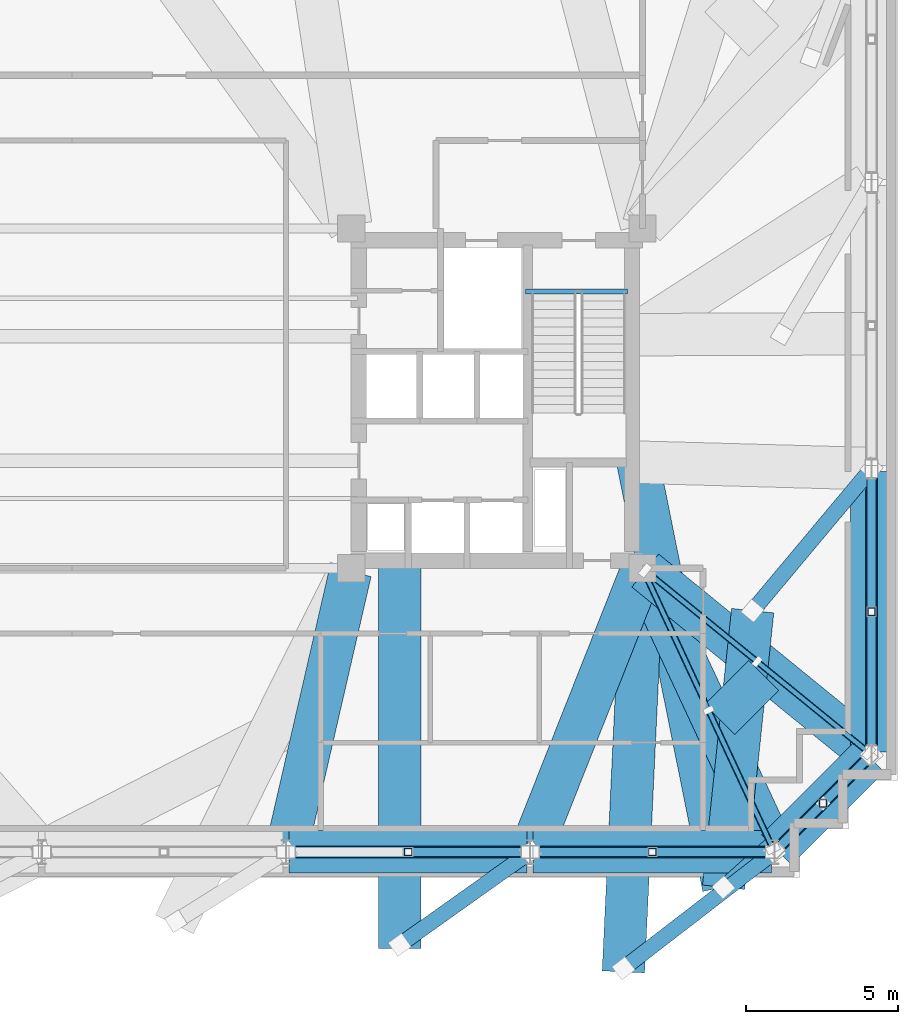
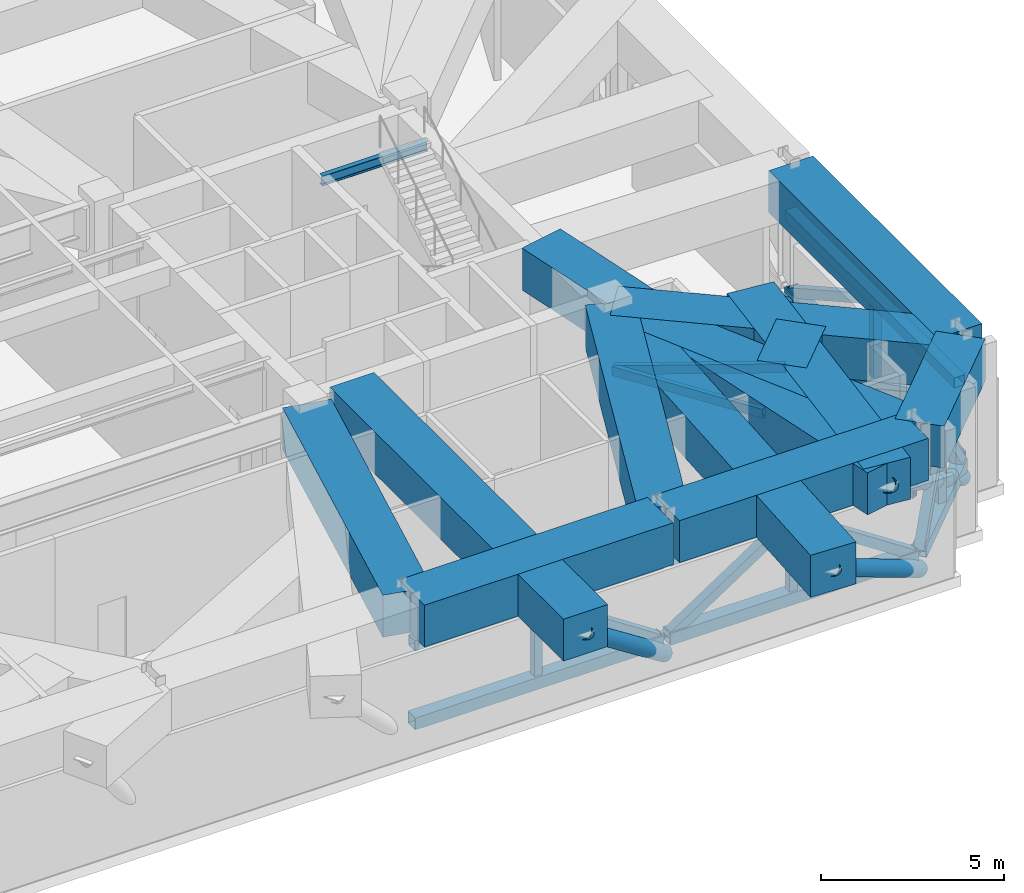
# One storey, part 7 of 18: 29 members, 14 beams.
"""IFC4 building model written with IfcOpenShell, lengths in metres."""

from ifc_helpers import new_model, si_unit, direction, frame, origin, origin_2d, place, context, subcontext, project, spatial, rectangle, hollow_rectangle, hollow_circle, i_section, extrude, material, material_profile, profile_set, type_object, element, save


model = new_model("IFC4")

# Units and contexts
model_context = context("Model", 3, precision=1e-05, world=origin(), true_north=direction((0.0, 1.0)))
body_context = subcontext(model_context, "Body", "Model", "MODEL_VIEW")
ifc_project = project(units=[si_unit("LENGTHUNIT", "METRE"), si_unit("AREAUNIT", "SQUARE_METRE"), si_unit("VOLUMEUNIT", "CUBIC_METRE"), si_unit("PLANEANGLEUNIT", "RADIAN"), si_unit("MASSUNIT", "GRAM", prefix="KILO")], contexts=[model_context])

# Site, building, storey
site_placement = place(None, origin())
site = spatial("IfcSite", under=ifc_project, at=site_placement, CompositionType="ELEMENT")
building_placement = place(site_placement, origin())
building = spatial("IfcBuilding", under=site, at=building_placement, Name="Qobustan Lattice House", CompositionType="ELEMENT")
storey_placement = place(building_placement, frame((0.0, 0.0, 174.550048828125)))
storey = spatial("IfcBuildingStorey", under=building, at=storey_placement, Name="L49", CompositionType="ELEMENT", Elevation=174.550048828125)

# Beams
ifc_material_1 = material(Name="Steel S355", Category="steel")
ifc_material_profile_1 = material_profile(ifc_material_1, i_section(OverallWidth=0.159912109375, OverallDepth=0.330078125, WebThickness=0.007568359375, FlangeThickness=0.011474609375, FilletRadius=0.01806640625, at=origin_2d()), Name="IPE330")
ifc_profile_set_1 = profile_set([ifc_material_profile_1], Name="Steel S355")
beam_type_1 = type_object("IfcBeamType", Name="BM-SPD-IPE330", PredefinedType="SPANDREL", material=ifc_profile_set_1)
beam_1_placement = place(storey_placement, frame((14.949951171875, 3.52001953125, 4.655029296875), z_axis=(1.0, 0.0, 0.0), x_axis=(0.0, 1.0, 0.0)))
element("IfcBeam", 1, at=beam_1_placement, inside=storey, type_object=beam_type_1, Name="L49 east stair landing trimmer beam", PredefinedType="SPANDREL", context=body_context, shape_type="SweptSolid", body=[
    extrude(i_section(OverallWidth=0.159912109375, OverallDepth=0.330078125, WebThickness=0.007568359375, FlangeThickness=0.011474609375, FilletRadius=0.01806640625, at=origin_2d()), origin(), (0.0, 0.0, 1.0), 3.35009765625),
])
ifc_material_2 = material(Name="Concrete C60/75", Category="concrete")
ifc_material_profile_2 = material_profile(ifc_material_2, rectangle(XDim=1.39990234375, YDim=1.39990234375, at=origin_2d()), Name="RC1400x1400")
ifc_profile_set_2 = profile_set([ifc_material_profile_2], Name="Concrete C60/75")
beam_type_2 = type_object("IfcBeamType", Name="BM-TRG-RC1400", PredefinedType="USERDEFINED", material=ifc_profile_set_2)
for number, where, z_axis, x_axis, name in (
    (2, (7.14990234375, -14.949951171875, 4.119873046875), (1.0, 0.0, 0.0), (0.0, 1.0, 0.0), "L49 TT3 lower perimeter transfer girder S5-S6"),
    (3, (15.199951171875, -14.949951171875, 4.119873046875), (1.0, 0.0, 0.0), (0.0, 1.0, 0.0), "L49 TT3 lower perimeter transfer girder S6-S7"),
):
    element("IfcBeam", number, at=place(storey_placement, frame(where, z_axis=z_axis, x_axis=x_axis)), inside=storey, type_object=beam_type_2, Name=name, ObjectType="GIRDER", PredefinedType="USERDEFINED", context=body_context, shape_type="SweptSolid", body=[
        extrude(rectangle(XDim=1.39990234375, YDim=1.39990234375, at=origin_2d()), origin(), (0.0, 0.0, 1.0), 7.85009765625),
    ])
beam_2_placement = place(storey_placement, frame((23.220703125, -14.87939453125, 4.119873046875), z_axis=(0.707106781187, 0.707106781187, 0.0), x_axis=(-0.707106781187, 0.707106781187, 0.0)))
element("IfcBeam", 4, at=beam_2_placement, inside=storey, type_object=beam_type_2, Name="L49 TT3 lower perimeter transfer girder S7-E1", ObjectType="GIRDER", PredefinedType="USERDEFINED", context=body_context, shape_type="SweptSolid", body=[
    extrude(rectangle(XDim=1.39990234375, YDim=1.39990234375, at=origin_2d()), origin(), (0.0, 0.0, 1.0), 4.325439453125),
])
beam_3_placement = place(storey_placement, frame((26.35009765625, -11.64990234375, 4.119873046875), z_axis=(0.0, 1.0, 0.0), x_axis=(-1.0, 0.0, 0.0)))
element("IfcBeam", 5, at=beam_3_placement, inside=storey, type_object=beam_type_2, Name="L49 TT3 lower perimeter transfer girder E1-E2", ObjectType="GIRDER", PredefinedType="USERDEFINED", context=body_context, shape_type="SweptSolid", body=[
    extrude(rectangle(XDim=1.39990234375, YDim=1.39990234375, at=origin_2d()), origin(), (0.0, 0.0, 1.0), 9.233154296875),
])
beam_4_placement = place(storey_placement, frame((9.173095703125, -5.716796875, 4.119873046875), z_axis=(-0.224093157828, -0.97456772808, 0.0), x_axis=(0.97456772808, -0.224093157828, 0.0)))
element("IfcBeam", 6, at=beam_4_placement, inside=storey, type_object=beam_type_2, Name="L49 TT3 radial transfer girder S5", ObjectType="GIRDER", PredefinedType="USERDEFINED", context=body_context, shape_type="SweptSolid", body=[
    extrude(rectangle(XDim=1.39990234375, YDim=1.39990234375, at=origin_2d()), origin(), (0.0, 0.0, 1.0), 9.35400390625),
])
beam_5_placement = place(storey_placement, frame((18.755859375, -5.711669921875, 4.119873046875), z_axis=(-0.367953024601, -0.92984438036, 0.0), x_axis=(0.92984438036, -0.367953024601, 0.0)))
element("IfcBeam", 7, at=beam_5_placement, inside=storey, type_object=beam_type_2, Name="L49 TT3 radial transfer girder S6", ObjectType="GIRDER", PredefinedType="USERDEFINED", context=body_context, shape_type="SweptSolid", body=[
    extrude(rectangle(XDim=1.39990234375, YDim=1.39990234375, at=origin_2d()), origin(), (0.0, 0.0, 1.0), 9.8154296875),
])
beam_6_placement = place(storey_placement, frame((18.8505859375, -5.708740234375, 4.119873046875), z_axis=(0.421818335249, -0.906680369285, 0.0), x_axis=(0.906680369285, 0.421818335249, 0.0)))
element("IfcBeam", 8, at=beam_6_placement, inside=storey, type_object=beam_type_2, Name="L49 TT3 radial transfer girder S7", ObjectType="GIRDER", PredefinedType="USERDEFINED", context=body_context, shape_type="SweptSolid", body=[
    extrude(rectangle(XDim=1.39990234375, YDim=1.39990234375, at=origin_2d()), origin(), (0.0, 0.0, 1.0), 10.072509765625),
])
beam_7_placement = place(storey_placement, frame((18.89306640625, -5.67578125, 4.119873046875), z_axis=(0.775326352527, -0.63156080236, 0.0), x_axis=(0.63156080236, 0.775326352527, 0.0)))
element("IfcBeam", 9, at=beam_7_placement, inside=storey, type_object=beam_type_2, Name="L49 TT3 radial transfer girder E1", ObjectType="GIRDER", PredefinedType="USERDEFINED", context=body_context, shape_type="SweptSolid", body=[
    extrude(rectangle(XDim=1.39990234375, YDim=1.39990234375, at=origin_2d()), origin(), (0.0, 0.0, 1.0), 9.498046875),
])
beam_8_placement = place(storey_placement, frame((21.34814453125, -10.5869140625, 4.119873046875), z_axis=(0.707106781187, 0.707106781187, 0.0), x_axis=(-0.707106781187, 0.707106781187, 0.0)))
element("IfcBeam", 10, at=beam_8_placement, inside=storey, type_object=beam_type_2, Name="L49 TT3 quadrant transfer tie girder 4", ObjectType="GIRDER", PredefinedType="USERDEFINED", context=body_context, shape_type="SweptSolid", body=[
    extrude(rectangle(XDim=1.39990234375, YDim=1.39990234375, at=origin_2d()), origin(), (0.0, 0.0, 1.0), 2.048828125),
])
beam_9_placement = place(storey_placement, frame((10.80126953125, -5.35009765625, 4.119873046875), z_axis=(0.0, -1.0, 0.0), x_axis=(1.0, 0.0, 0.0)))
element("IfcBeam", 11, at=beam_9_placement, inside=storey, type_object=beam_type_2, Name="L49 TT3 primary column transfer girder S6", ObjectType="GIRDER", PredefinedType="USERDEFINED", context=body_context, shape_type="SweptSolid", body=[
    extrude(rectangle(XDim=1.39990234375, YDim=1.39990234375, at=origin_2d()), origin(), (0.0, 0.0, 1.0), 12.778564453125),
])
beam_10_placement = place(storey_placement, frame((18.794189453125, -5.719970703125, 4.119873046875), z_axis=(-0.047168787243, -0.998886933296, 0.0), x_axis=(0.998886933296, -0.047168787243, 0.0)))
element("IfcBeam", 12, at=beam_10_placement, inside=storey, type_object=beam_type_2, Name="L49 TT3 primary column transfer girder S7", ObjectType="GIRDER", PredefinedType="USERDEFINED", context=body_context, shape_type="SweptSolid", body=[
    extrude(rectangle(XDim=1.39990234375, YDim=1.39990234375, at=origin_2d()), origin(), (0.0, 0.0, 1.0), 13.198486328125),
])
beam_11_placement = place(storey_placement, frame((18.64990234375, -2.10009765625, 4.119873046875), z_axis=(0.19757410735, -0.980287953667, 0.0), x_axis=(0.980287953667, 0.19757410735, 0.0)))
element("IfcBeam", 13, at=beam_11_placement, inside=storey, type_object=beam_type_2, Name="L49 TT3 primary column transfer girder E1", ObjectType="GIRDER", PredefinedType="USERDEFINED", context=body_context, shape_type="SweptSolid", body=[
    extrude(rectangle(XDim=1.39990234375, YDim=1.39990234375, at=origin_2d()), origin(), (0.0, 0.0, 1.0), 14.295654296875),
])
beam_12_placement = place(storey_placement, frame((21.474365234375, -16.114013671875, 4.119873046875), z_axis=(0.104536438476, 0.994521057108, 0.0), x_axis=(-0.994521057108, 0.104536438476, 0.0)))
element("IfcBeam", 14, at=beam_12_placement, inside=storey, type_object=beam_type_2, Name="L49 TT3 corner transfer edge tie E1-E2", ObjectType="GIRDER", PredefinedType="USERDEFINED", context=body_context, shape_type="SweptSolid", body=[
    extrude(rectangle(XDim=1.39990234375, YDim=1.39990234375, at=origin_2d()), origin(), (0.0, 0.0, 1.0), 9.166748046875),
])

# Members
ifc_material_3 = material(Name="Steel S355", Category="steel")
ifc_material_profile_3 = material_profile(ifc_material_3, hollow_rectangle(XDim=0.14990234375, YDim=0.300048828125, WallThickness=0.012451171875, at=origin_2d()), Name="RHS300x150x12.5")
ifc_profile_set_3 = profile_set([ifc_material_profile_3], Name="Steel S355")
member_type_1 = type_object("IfcMemberType", Name="MEM-BRC-RHS300", PredefinedType="BRACE", material=ifc_profile_set_3)
member_1_placement = place(storey_placement, frame((18.89306640625, -5.67578125, 2.550048828125), z_axis=(0.769403885149, -0.626757292557, 0.123259716632), x_axis=(0.631573389165, 0.775316099471, 0.0)))
element("IfcMember", 15, at=member_1_placement, inside=storey, type_object=member_type_1, Name="L49 TT3 outrigger diagonal OUT-ES-1", PredefinedType="BRACE", context=body_context, shape_type="SweptSolid", body=[
    extrude(hollow_rectangle(XDim=0.14990234375, YDim=0.300048828125, WallThickness=0.012451171875, at=origin_2d()), origin(), (0.0, 0.0, 1.0), 4.785400390625),
])
member_2_placement = place(storey_placement, frame((22.574951171875, -8.675048828125, 3.139892578125), z_axis=(0.769424700207, -0.62673269076, -0.123254878378), x_axis=(0.63154821589, 0.77533660497, 0.0)))
element("IfcMember", 16, at=member_2_placement, inside=storey, type_object=member_type_1, Name="L49 TT3 outrigger diagonal OUT-ES-2", PredefinedType="BRACE", context=body_context, shape_type="SweptSolid", body=[
    extrude(hollow_rectangle(XDim=0.14990234375, YDim=0.300048828125, WallThickness=0.012451171875, at=origin_2d()), origin(), (0.0, 0.0, 1.0), 4.78564453125),
])
member_3_placement = place(storey_placement, frame((18.8505859375, -5.708740234375, 2.550048828125), z_axis=(0.418983668855, -0.900511555803, 0.116325504936), x_axis=(0.906666785899, 0.421847530925, 0.0)))
element("IfcMember", 17, at=member_3_placement, inside=storey, type_object=member_type_1, Name="L49 TT3 outrigger diagonal OUT-EN-1", PredefinedType="BRACE", context=body_context, shape_type="SweptSolid", body=[
    extrude(hollow_rectangle(XDim=0.14990234375, YDim=0.300048828125, WallThickness=0.012451171875, at=origin_2d()), origin(), (0.0, 0.0, 1.0), 5.070556640625),
])
member_4_placement = place(storey_placement, frame((20.97509765625, -10.27490234375, 3.139892578125), z_axis=(0.418925807399, -0.900538823306, -0.116322807801), x_axis=(0.906693951412, 0.421789139822, 0.0)))
element("IfcMember", 18, at=member_4_placement, inside=storey, type_object=member_type_1, Name="L49 TT3 outrigger diagonal OUT-EN-2", PredefinedType="BRACE", context=body_context, shape_type="SweptSolid", body=[
    extrude(hollow_rectangle(XDim=0.14990234375, YDim=0.300048828125, WallThickness=0.012451171875, at=origin_2d()), origin(), (0.0, 0.0, 1.0), 5.07080078125),
])
ifc_material_4 = material(Name="Steel S355", Category="steel")
ifc_material_profile_4 = material_profile(ifc_material_4, hollow_rectangle(XDim=0.300048828125, YDim=0.300048828125, WallThickness=0.01611328125, at=origin_2d()), Name="SHS300x300x16")
ifc_profile_set_4 = profile_set([ifc_material_profile_4], Name="Steel S355")
member_type_2 = type_object("IfcMemberType", Name="MEM-BRC-SHS300", PredefinedType="BRACE", material=ifc_profile_set_4)
for number, where, z_axis, x_axis, name in (
    (19, (11.074951171875, -14.949951171875, 3.139892578125), (0.834676709291, 0.0, -0.550740220946), (0.0, 1.0, 0.0), "L49 TT3 belt truss web diagonal S5-S6 B"),
    (20, (15.199951171875, -14.949951171875, 0.550048828125), (0.834676709291, 0.0, 0.550740220946), (0.0, 1.0, 0.0), "L49 TT3 belt truss web diagonal S6-S7 A"),
    (21, (19.125, -14.949951171875, 3.139892578125), (0.834676709291, 0.0, -0.550740220946), (0.0, 1.0, 0.0), "L49 TT3 belt truss web diagonal S6-S7 B"),
):
    element("IfcMember", number, at=place(storey_placement, frame(where, z_axis=z_axis, x_axis=x_axis)), inside=storey, type_object=member_type_2, Name=name, PredefinedType="BRACE", context=body_context, shape_type="SweptSolid", body=[
        extrude(hollow_rectangle(XDim=0.300048828125, YDim=0.300048828125, WallThickness=0.01611328125, at=origin_2d()), origin(), (0.0, 0.0, 1.0), 4.702392578125),
    ])
for number, where, z_axis, x_axis, name in (
    (22, (23.220703125, -14.87939453125, 0.550048828125), (0.453241133876, 0.453241133876, 0.767557782272), (-0.707106781187, 0.707106781187, 0.0), "L49 TT3 belt truss web diagonal S7-E1 A"),
    (23, (24.75, -13.35009765625, 3.139892578125), (0.453241133876, 0.453241133876, -0.767557782272), (-0.707106781187, 0.707106781187, 0.0), "L49 TT3 belt truss web diagonal S7-E1 B"),
):
    element("IfcMember", number, at=place(storey_placement, frame(where, z_axis=z_axis, x_axis=x_axis)), inside=storey, type_object=member_type_2, Name=name, PredefinedType="BRACE", context=body_context, shape_type="SweptSolid", body=[
        extrude(hollow_rectangle(XDim=0.300048828125, YDim=0.300048828125, WallThickness=0.01611328125, at=origin_2d()), origin(), (0.0, 0.0, 1.0), 3.3740234375),
    ])
member_5_placement = place(storey_placement, frame((26.35009765625, -11.64990234375, 0.550048828125), z_axis=(0.0, 0.872132960732, 0.489268943225), x_axis=(-1.0, 0.0, 0.0)))
element("IfcMember", 24, at=member_5_placement, inside=storey, type_object=member_type_2, Name="L49 TT3 belt truss web diagonal E1-E2 A", PredefinedType="BRACE", context=body_context, shape_type="SweptSolid", body=[
    extrude(hollow_rectangle(XDim=0.300048828125, YDim=0.300048828125, WallThickness=0.01611328125, at=origin_2d()), origin(), (0.0, 0.0, 1.0), 5.293212890625),
])
member_6_placement = place(storey_placement, frame((26.35009765625, -7.033447265625, 3.139892578125), z_axis=(0.0, 0.872144001092, -0.489249263013), x_axis=(-1.0, 0.0, 0.0)))
element("IfcMember", 25, at=member_6_placement, inside=storey, type_object=member_type_2, Name="L49 TT3 belt truss web diagonal E1-E2 B", PredefinedType="BRACE", context=body_context, shape_type="SweptSolid", body=[
    extrude(hollow_rectangle(XDim=0.300048828125, YDim=0.300048828125, WallThickness=0.01611328125, at=origin_2d()), origin(), (0.0, 0.0, 1.0), 5.29345703125),
])
ifc_material_5 = material(Name="Steel S355", Category="steel")
ifc_material_profile_5 = material_profile(ifc_material_5, hollow_rectangle(XDim=0.199951171875, YDim=0.39990234375, WallThickness=0.01611328125, at=origin_2d()), Name="RHS400x200x16")
ifc_profile_set_5 = profile_set([ifc_material_profile_5], Name="Steel S355")
member_type_3 = type_object("IfcMemberType", Name="MEM-CHD-RHS400", PredefinedType="CHORD", material=ifc_profile_set_5)
member_7_placement = place(storey_placement, frame((18.89306640625, -5.67578125, 2.550048828125), z_axis=(0.775326352527, -0.63156080236, 0.0), x_axis=(0.63156080236, 0.775326352527, 0.0)))
element("IfcMember", 26, at=member_7_placement, inside=storey, type_object=member_type_3, Name="L49 TT3 outrigger chord OUT-ES", PredefinedType="CHORD", context=body_context, shape_type="SweptSolid", body=[
    extrude(hollow_rectangle(XDim=0.199951171875, YDim=0.39990234375, WallThickness=0.01611328125, at=origin_2d()), origin(), (0.0, 0.0, 1.0), 9.498046875),
])
member_8_placement = place(storey_placement, frame((18.8505859375, -5.708740234375, 2.550048828125), z_axis=(0.421818335249, -0.906680369285, 0.0), x_axis=(0.906680369285, 0.421818335249, 0.0)))
element("IfcMember", 27, at=member_8_placement, inside=storey, type_object=member_type_3, Name="L49 TT3 outrigger chord OUT-EN", PredefinedType="CHORD", context=body_context, shape_type="SweptSolid", body=[
    extrude(hollow_rectangle(XDim=0.199951171875, YDim=0.39990234375, WallThickness=0.01611328125, at=origin_2d()), origin(), (0.0, 0.0, 1.0), 10.072509765625),
])
ifc_material_6 = material(Name="Steel S355", Category="steel")
ifc_material_profile_6 = material_profile(ifc_material_6, hollow_rectangle(XDim=0.35009765625, YDim=0.35009765625, WallThickness=0.01611328125, at=origin_2d()), Name="SHS350x350x16")
ifc_profile_set_6 = profile_set([ifc_material_profile_6], Name="Steel S355")
member_type_4 = type_object("IfcMemberType", Name="MEM-CHD-SHS350", PredefinedType="CHORD", material=ifc_profile_set_6)
for number, where, z_axis, x_axis, name in (
    (28, (7.14990234375, -14.949951171875, 3.139892578125), (1.0, 0.0, 0.0), (0.0, 1.0, 0.0), "L49 TT3 belt truss top chord S5-S6"),
    (29, (15.199951171875, -14.949951171875, 3.139892578125), (1.0, 0.0, 0.0), (0.0, 1.0, 0.0), "L49 TT3 belt truss top chord S6-S7"),
):
    element("IfcMember", number, at=place(storey_placement, frame(where, z_axis=z_axis, x_axis=x_axis)), inside=storey, type_object=member_type_4, Name=name, PredefinedType="CHORD", context=body_context, shape_type="SweptSolid", body=[
        extrude(hollow_rectangle(XDim=0.35009765625, YDim=0.35009765625, WallThickness=0.01611328125, at=origin_2d()), origin(), (0.0, 0.0, 1.0), 7.85009765625),
    ])
member_9_placement = place(storey_placement, frame((23.220703125, -14.87939453125, 3.139892578125), z_axis=(0.707106781187, 0.707106781187, 0.0), x_axis=(-0.707106781187, 0.707106781187, 0.0)))
element("IfcMember", 30, at=member_9_placement, inside=storey, type_object=member_type_4, Name="L49 TT3 belt truss top chord S7-E1", PredefinedType="CHORD", context=body_context, shape_type="SweptSolid", body=[
    extrude(hollow_rectangle(XDim=0.35009765625, YDim=0.35009765625, WallThickness=0.01611328125, at=origin_2d()), origin(), (0.0, 0.0, 1.0), 4.325439453125),
])
member_10_placement = place(storey_placement, frame((26.35009765625, -11.64990234375, 3.139892578125), z_axis=(0.0, 1.0, 0.0), x_axis=(-1.0, 0.0, 0.0)))
element("IfcMember", 31, at=member_10_placement, inside=storey, type_object=member_type_4, Name="L49 TT3 belt truss top chord E1-E2", PredefinedType="CHORD", context=body_context, shape_type="SweptSolid", body=[
    extrude(hollow_rectangle(XDim=0.35009765625, YDim=0.35009765625, WallThickness=0.01611328125, at=origin_2d()), origin(), (0.0, 0.0, 1.0), 9.233154296875),
])
ifc_material_7 = material(Name="Steel S355", Category="steel")
ifc_material_profile_7 = material_profile(ifc_material_7, hollow_rectangle(XDim=0.39990234375, YDim=0.39990234375, WallThickness=0.02001953125, at=origin_2d()), Name="SHS400x400x20")
ifc_profile_set_7 = profile_set([ifc_material_profile_7], Name="Steel S355")
member_type_5 = type_object("IfcMemberType", Name="MEM-CHD-SHS400", PredefinedType="CHORD", material=ifc_profile_set_7)
for number, where, z_axis, x_axis, name in (
    (32, (7.14990234375, -14.949951171875, 0.550048828125), (1.0, 0.0, 0.0), (0.0, 1.0, 0.0), "L49 TT3 belt truss bottom chord S5-S6"),
    (33, (15.199951171875, -14.949951171875, 0.550048828125), (1.0, 0.0, 0.0), (0.0, 1.0, 0.0), "L49 TT3 belt truss bottom chord S6-S7"),
):
    element("IfcMember", number, at=place(storey_placement, frame(where, z_axis=z_axis, x_axis=x_axis)), inside=storey, type_object=member_type_5, Name=name, PredefinedType="CHORD", context=body_context, shape_type="SweptSolid", body=[
        extrude(hollow_rectangle(XDim=0.39990234375, YDim=0.39990234375, WallThickness=0.02001953125, at=origin_2d()), origin(), (0.0, 0.0, 1.0), 7.85009765625),
    ])
member_11_placement = place(storey_placement, frame((23.220703125, -14.87939453125, 0.550048828125), z_axis=(0.707106781187, 0.707106781187, 0.0), x_axis=(-0.707106781187, 0.707106781187, 0.0)))
element("IfcMember", 34, at=member_11_placement, inside=storey, type_object=member_type_5, Name="L49 TT3 belt truss bottom chord S7-E1", PredefinedType="CHORD", context=body_context, shape_type="SweptSolid", body=[
    extrude(hollow_rectangle(XDim=0.39990234375, YDim=0.39990234375, WallThickness=0.02001953125, at=origin_2d()), origin(), (0.0, 0.0, 1.0), 4.325439453125),
])
member_12_placement = place(storey_placement, frame((26.35009765625, -11.64990234375, 0.550048828125), z_axis=(0.0, 1.0, 0.0), x_axis=(-1.0, 0.0, 0.0)))
element("IfcMember", 35, at=member_12_placement, inside=storey, type_object=member_type_5, Name="L49 TT3 belt truss bottom chord E1-E2", PredefinedType="CHORD", context=body_context, shape_type="SweptSolid", body=[
    extrude(hollow_rectangle(XDim=0.39990234375, YDim=0.39990234375, WallThickness=0.02001953125, at=origin_2d()), origin(), (0.0, 0.0, 1.0), 9.233154296875),
])
ifc_material_8 = material(Name="Steel S355", Category="steel")
ifc_material_profile_8 = material_profile(ifc_material_8, hollow_rectangle(XDim=0.25, YDim=0.25, WallThickness=0.012451171875, at=origin_2d()), Name="SHS250x250x12.5")
ifc_profile_set_8 = profile_set([ifc_material_profile_8], Name="Steel S355")
member_type_6 = type_object("IfcMemberType", Name="MEM-PST-SHS250", PredefinedType="POST", material=ifc_profile_set_8)
for number, where, z_axis, x_axis, name in (
    (36, (11.074951171875, -14.949951171875, 0.550048828125), (0.0, 0.0, 1.0), (1.0, 0.0, 0.0), "L49 TT3 belt truss vertical post S5-S6"),
    (37, (19.125, -14.949951171875, 0.550048828125), (0.0, 0.0, 1.0), (1.0, 0.0, 0.0), "L49 TT3 belt truss vertical post S6-S7"),
    (38, (24.75, -13.35009765625, 0.550048828125), (0.0, 0.0, 1.0), (1.0, 0.0, 0.0), "L49 TT3 belt truss vertical post S7-E1"),
    (39, (26.35009765625, -7.033447265625, 0.550048828125), (0.0, 0.0, 1.0), (1.0, 0.0, 0.0), "L49 TT3 belt truss vertical post E1-E2"),
):
    element("IfcMember", number, at=place(storey_placement, frame(where, z_axis=z_axis, x_axis=x_axis)), inside=storey, type_object=member_type_6, Name=name, PredefinedType="POST", context=body_context, shape_type="SweptSolid", body=[
        extrude(hollow_rectangle(XDim=0.25, YDim=0.25, WallThickness=0.012451171875, at=origin_2d()), origin(), (0.0, 0.0, 1.0), 2.58984375),
    ])
ifc_material_9 = material(Name="Steel S355", Category="steel")
ifc_material_profile_9 = material_profile(ifc_material_9, hollow_circle(Radius=0.25390625, WallThickness=0.02001953125, at=origin_2d()), Name="CHS508x20")
ifc_profile_set_9 = profile_set([ifc_material_profile_9], Name="Steel S355")
member_type_7 = type_object("IfcMemberType", Name="MEM-STR-CHS508", PredefinedType="STRUT", material=ifc_profile_set_9)
member_13_placement = place(storey_placement, frame((15.10009765625, -14.949951171875, 0.014892578125), z_axis=(-0.643069830099, -0.457577345599, 0.614071792554), x_axis=(0.579762110905, -0.814785796856, 0.0)))
element("IfcMember", 40, at=member_13_placement, inside=storey, type_object=member_type_7, Name="L49 TT3 column transfer strut S6", PredefinedType="STRUT", context=body_context, shape_type="SweptSolid", body=[
    extrude(hollow_circle(Radius=0.25390625, WallThickness=0.02001953125, at=origin_2d()), origin(), (0.0, 0.0, 1.0), 6.684814453125),
])
member_14_placement = place(storey_placement, frame((23.14990234375, -14.949951171875, 0.014892578125), z_axis=(-0.662858167175, -0.511072498886, 0.547196446528), x_axis=(0.61059728528, -0.791941257423, 0.0)))
element("IfcMember", 41, at=member_14_placement, inside=storey, type_object=member_type_7, Name="L49 TT3 column transfer strut S7", PredefinedType="STRUT", context=body_context, shape_type="SweptSolid", body=[
    extrude(hollow_circle(Radius=0.25390625, WallThickness=0.02001953125, at=origin_2d()), origin(), (0.0, 0.0, 1.0), 7.501953125),
])
member_15_placement = place(storey_placement, frame((26.35009765625, -11.75, 0.014892578125), z_axis=(-0.631201795577, -0.564955790693, 0.531421911313), x_axis=(0.666923541735, -0.745126156755, 0.0)))
element("IfcMember", 42, at=member_15_placement, inside=storey, type_object=member_type_7, Name="L49 TT3 column transfer strut E1", PredefinedType="STRUT", context=body_context, shape_type="SweptSolid", body=[
    extrude(hollow_circle(Radius=0.25390625, WallThickness=0.02001953125, at=origin_2d()), origin(), (0.0, 0.0, 1.0), 7.724609375),
])
member_16_placement = place(storey_placement, frame((26.35009765625, -2.316650390625, 0.014892578125), z_axis=(-0.532567200464, -0.636352420198, 0.558057142503), x_axis=(0.766872121067, -0.64179992983, 0.0)))
element("IfcMember", 43, at=member_16_placement, inside=storey, type_object=member_type_7, Name="L49 TT3 column transfer strut E2", PredefinedType="STRUT", context=body_context, shape_type="SweptSolid", body=[
    extrude(hollow_circle(Radius=0.25390625, WallThickness=0.02001953125, at=origin_2d()), origin(), (0.0, 0.0, 1.0), 7.35595703125),
])

save(model, "model.ifc")
